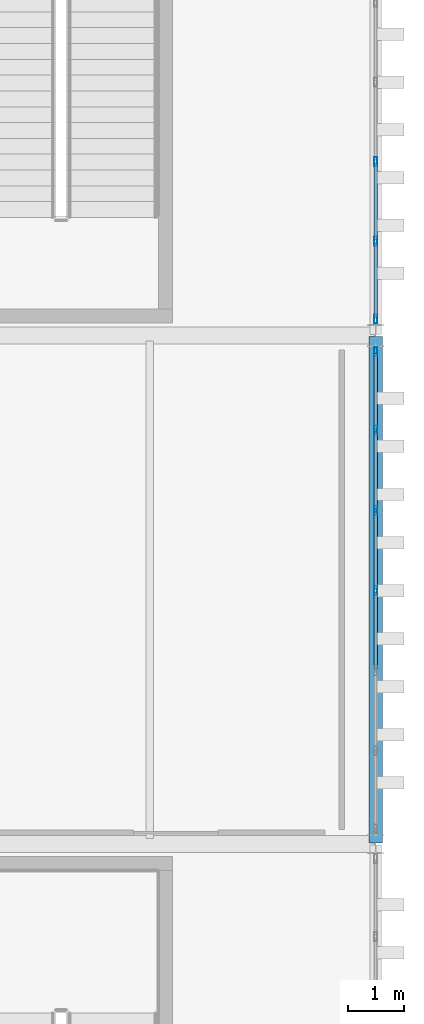
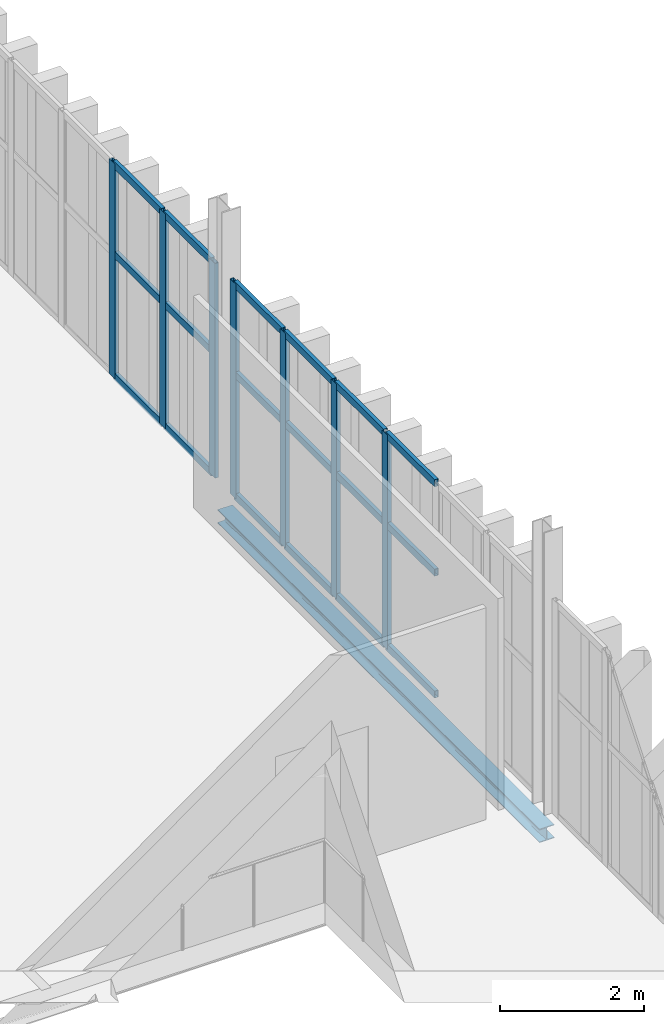
# One storey, part 154 of 196: 25 members, 1 beam, 2 elements without a shape of their own.
"""IFC4 building model written with IfcOpenShell, lengths in metres."""

from ifc_helpers import new_model, si_unit, direction, frame, origin, origin_2d, place, context, subcontext, project, spatial, hollow_rectangle, i_section, extrude, material, layer, layer_set, material_profile, profile_set, type_object, element, aggregate, save


model = new_model("IFC4")

# Units and contexts
model_context = context("Model", 3, precision=1e-05, world=origin(), true_north=direction((0.0, 1.0)))
body_context = subcontext(model_context, "Body", "Model", "MODEL_VIEW")
ifc_project = project(units=[si_unit("LENGTHUNIT", "METRE"), si_unit("AREAUNIT", "SQUARE_METRE"), si_unit("VOLUMEUNIT", "CUBIC_METRE"), si_unit("PLANEANGLEUNIT", "RADIAN"), si_unit("MASSUNIT", "GRAM", prefix="KILO")], contexts=[model_context])

# Site, building, storey
site_placement = place(None, origin())
site = spatial("IfcSite", under=ifc_project, at=site_placement, CompositionType="ELEMENT")
building_placement = place(site_placement, origin())
building = spatial("IfcBuilding", under=site, at=building_placement, Name="Barlavento Convention Centre", CompositionType="ELEMENT")
storey_placement = place(building_placement, frame((0.0, 0.0, 18.0)))
storey = spatial("IfcBuildingStorey", under=building, at=storey_placement, Name="L03", CompositionType="ELEMENT", Elevation=18.0)

# Curtain wall, members
ifc_material_1 = material(Name="Powder-coated aluminium and Low-E glass", Category="aluminium")
ifc_layer = layer(ifc_material_1, 0.179931640625)
ifc_layer_set = layer_set([ifc_layer], Name="ARC-CW-CONF-L03")
curtain_wall_type = type_object("IfcCurtainWallType", Name="ARC-CW-CONF-L03", PredefinedType="NOTDEFINED", material=ifc_layer_set)
curtain_wall_1_placement = place(storey_placement, origin())
curtain_wall_1 = element("IfcCurtainWall", 1, at=curtain_wall_1_placement, inside=storey, type_object=curtain_wall_type, Name="L03 unitised curtain wall CW08", PredefinedType="NOTDEFINED")
ifc_material_2 = material(Name="Powder-coated aluminium", Category="aluminium")
ifc_material_profile_1 = material_profile(ifc_material_2, hollow_rectangle(XDim=0.06005859375, YDim=0.159912109375, WallThickness=0.00390625, at=origin_2d()), Name="AL-MULL 60x160x4")
ifc_profile_set_1 = profile_set([ifc_material_profile_1], Name="Powder-coated aluminium")
member_type_1 = type_object("IfcMemberType", Name="ARC-CWM-60X160", PredefinedType="MULLION", material=ifc_profile_set_1)
member_1_placement = place(storey_placement, frame((192.0, 85.485107421875, 0.0), z_axis=(0.0, 0.0, 1.0), x_axis=(-1.0, 0.0, 0.0)))
member_1 = element("IfcMember", 2, at=member_1_placement, type_object=member_type_1, Name="CW08 mullion 4", PredefinedType="MULLION", context=body_context, shape_type="SweptSolid", body=[
    extrude(hollow_rectangle(XDim=0.06005859375, YDim=0.159912109375, WallThickness=0.00390625, at=origin_2d()), origin(), (0.0, 0.0, 1.0), 3.64990234375),
])
member_2_placement = place(storey_placement, frame((192.0, 86.9033203125, 0.0), z_axis=(0.0, 0.0, 1.0), x_axis=(-1.0, 0.0, 0.0)))
member_2 = element("IfcMember", 3, at=member_2_placement, type_object=member_type_1, Name="CW08 mullion 5", PredefinedType="MULLION", context=body_context, shape_type="SweptSolid", body=[
    extrude(hollow_rectangle(XDim=0.06005859375, YDim=0.159912109375, WallThickness=0.00390625, at=origin_2d()), origin(), (0.0, 0.0, 1.0), 3.64990234375),
])
member_3_placement = place(storey_placement, frame((192.0, 88.32177734375, 0.0), z_axis=(0.0, 0.0, 1.0), x_axis=(-1.0, 0.0, 0.0)))
member_3 = element("IfcMember", 4, at=member_3_placement, type_object=member_type_1, Name="CW08 mullion 6", PredefinedType="MULLION", context=body_context, shape_type="SweptSolid", body=[
    extrude(hollow_rectangle(XDim=0.06005859375, YDim=0.159912109375, WallThickness=0.00390625, at=origin_2d()), origin(), (0.0, 0.0, 1.0), 3.64990234375),
])
member_4_placement = place(storey_placement, frame((192.0, 89.7099609375, 0.0), z_axis=(0.0, 0.0, 1.0), x_axis=(-1.0, 0.0, 0.0)))
member_4 = element("IfcMember", 5, at=member_4_placement, type_object=member_type_1, Name="CW08 mullion 7", PredefinedType="MULLION", context=body_context, shape_type="SweptSolid", body=[
    extrude(hollow_rectangle(XDim=0.06005859375, YDim=0.159912109375, WallThickness=0.00390625, at=origin_2d()), origin(), (0.0, 0.0, 1.0), 3.64990234375),
])

curtain_wall_2_placement = place(storey_placement, origin())
curtain_wall_2 = element("IfcCurtainWall", 6, at=curtain_wall_2_placement, inside=storey, type_object=curtain_wall_type, Name="L03 unitised curtain wall CW08", PredefinedType="NOTDEFINED")
member_5_placement = place(storey_placement, frame((192.0, 90.2900390625, 0.0), z_axis=(0.0, 0.0, 1.0), x_axis=(-1.0, 0.0, 0.0)))
member_5 = element("IfcMember", 7, at=member_5_placement, type_object=member_type_1, Name="CW08 mullion 1", PredefinedType="MULLION", context=body_context, shape_type="SweptSolid", body=[
    extrude(hollow_rectangle(XDim=0.06005859375, YDim=0.159912109375, WallThickness=0.00390625, at=origin_2d()), origin(), (0.0, 0.0, 1.0), 3.64990234375),
])
member_6_placement = place(storey_placement, frame((192.0, 91.669189453125, 0.0), z_axis=(0.0, 0.0, 1.0), x_axis=(-1.0, 0.0, 0.0)))
member_6 = element("IfcMember", 8, at=member_6_placement, type_object=member_type_1, Name="CW08 mullion 2", PredefinedType="MULLION", context=body_context, shape_type="SweptSolid", body=[
    extrude(hollow_rectangle(XDim=0.06005859375, YDim=0.159912109375, WallThickness=0.00390625, at=origin_2d()), origin(), (0.0, 0.0, 1.0), 3.64990234375),
])
member_7_placement = place(storey_placement, frame((192.0, 93.078369140625, 0.0), z_axis=(0.0, 0.0, 1.0), x_axis=(-1.0, 0.0, 0.0)))
member_7 = element("IfcMember", 9, at=member_7_placement, type_object=member_type_1, Name="CW08 mullion 3", PredefinedType="MULLION", context=body_context, shape_type="SweptSolid", body=[
    extrude(hollow_rectangle(XDim=0.06005859375, YDim=0.159912109375, WallThickness=0.00390625, at=origin_2d()), origin(), (0.0, 0.0, 1.0), 3.64990234375),
])

# Member
ifc_material_profile_2 = material_profile(ifc_material_2, hollow_rectangle(XDim=0.06005859375, YDim=0.1201171875, WallThickness=0.00390625, at=origin_2d()), Name="AL-TRAN 60x120x4")
ifc_profile_set_2 = profile_set([ifc_material_profile_2], Name="Powder-coated aluminium")
member_type_2 = type_object("IfcMemberType", Name="ARC-CWT-60X120", PredefinedType="USERDEFINED", material=ifc_profile_set_2)
member_8_placement = place(storey_placement, frame((192.0, 84.0966796875, 0.030029296875), z_axis=(0.0, 1.0, 0.0), x_axis=(-1.0, 0.0, 0.0)))
member_8 = element("IfcMember", 10, at=member_8_placement, type_object=member_type_2, Name="CW08 transom 3.1", ObjectType="TRANSOM", PredefinedType="USERDEFINED", context=body_context, shape_type="SweptSolid", body=[
    extrude(hollow_rectangle(XDim=0.06005859375, YDim=0.1201171875, WallThickness=0.00390625, at=origin_2d()), origin(), (0.0, 0.0, 1.0), 1.3583984375),
])

member_9_placement = place(storey_placement, frame((192.0, 84.0966796875, 2.10009765625), z_axis=(0.0, 1.0, 0.0), x_axis=(-1.0, 0.0, 0.0)))
member_9 = element("IfcMember", 11, at=member_9_placement, type_object=member_type_2, Name="CW08 transom 3.2", ObjectType="TRANSOM", PredefinedType="USERDEFINED", context=body_context, shape_type="SweptSolid", body=[
    extrude(hollow_rectangle(XDim=0.06005859375, YDim=0.1201171875, WallThickness=0.00390625, at=origin_2d()), origin(), (0.0, 0.0, 1.0), 1.3583984375),
])

member_10_placement = place(storey_placement, frame((192.0, 84.0966796875, 3.6201171875), z_axis=(0.0, 1.0, 0.0), x_axis=(-1.0, 0.0, 0.0)))
member_10 = element("IfcMember", 12, at=member_10_placement, type_object=member_type_2, Name="CW08 transom 3.3", ObjectType="TRANSOM", PredefinedType="USERDEFINED", context=body_context, shape_type="SweptSolid", body=[
    extrude(hollow_rectangle(XDim=0.06005859375, YDim=0.1201171875, WallThickness=0.00390625, at=origin_2d()), origin(), (0.0, 0.0, 1.0), 1.3583984375),
])

member_11_placement = place(storey_placement, frame((192.0, 85.514892578125, 0.030029296875), z_axis=(0.0, 1.0, 0.0), x_axis=(-1.0, 0.0, 0.0)))
member_11 = element("IfcMember", 13, at=member_11_placement, type_object=member_type_2, Name="CW08 transom 4.1", ObjectType="TRANSOM", PredefinedType="USERDEFINED", context=body_context, shape_type="SweptSolid", body=[
    extrude(hollow_rectangle(XDim=0.06005859375, YDim=0.1201171875, WallThickness=0.00390625, at=origin_2d()), origin(), (0.0, 0.0, 1.0), 1.3583984375),
])

member_12_placement = place(storey_placement, frame((192.0, 85.514892578125, 2.10009765625), z_axis=(0.0, 1.0, 0.0), x_axis=(-1.0, 0.0, 0.0)))
member_12 = element("IfcMember", 14, at=member_12_placement, type_object=member_type_2, Name="CW08 transom 4.2", ObjectType="TRANSOM", PredefinedType="USERDEFINED", context=body_context, shape_type="SweptSolid", body=[
    extrude(hollow_rectangle(XDim=0.06005859375, YDim=0.1201171875, WallThickness=0.00390625, at=origin_2d()), origin(), (0.0, 0.0, 1.0), 1.3583984375),
])

member_13_placement = place(storey_placement, frame((192.0, 85.514892578125, 3.6201171875), z_axis=(0.0, 1.0, 0.0), x_axis=(-1.0, 0.0, 0.0)))
member_13 = element("IfcMember", 15, at=member_13_placement, type_object=member_type_2, Name="CW08 transom 4.3", ObjectType="TRANSOM", PredefinedType="USERDEFINED", context=body_context, shape_type="SweptSolid", body=[
    extrude(hollow_rectangle(XDim=0.06005859375, YDim=0.1201171875, WallThickness=0.00390625, at=origin_2d()), origin(), (0.0, 0.0, 1.0), 1.3583984375),
])

member_14_placement = place(storey_placement, frame((192.0, 86.933349609375, 0.030029296875), z_axis=(0.0, 1.0, 0.0), x_axis=(-1.0, 0.0, 0.0)))
member_14 = element("IfcMember", 16, at=member_14_placement, type_object=member_type_2, Name="CW08 transom 5.1", ObjectType="TRANSOM", PredefinedType="USERDEFINED", context=body_context, shape_type="SweptSolid", body=[
    extrude(hollow_rectangle(XDim=0.06005859375, YDim=0.1201171875, WallThickness=0.00390625, at=origin_2d()), origin(), (0.0, 0.0, 1.0), 1.3583984375),
])

member_15_placement = place(storey_placement, frame((192.0, 86.933349609375, 2.10009765625), z_axis=(0.0, 1.0, 0.0), x_axis=(-1.0, 0.0, 0.0)))
member_15 = element("IfcMember", 17, at=member_15_placement, type_object=member_type_2, Name="CW08 transom 5.2", ObjectType="TRANSOM", PredefinedType="USERDEFINED", context=body_context, shape_type="SweptSolid", body=[
    extrude(hollow_rectangle(XDim=0.06005859375, YDim=0.1201171875, WallThickness=0.00390625, at=origin_2d()), origin(), (0.0, 0.0, 1.0), 1.3583984375),
])

member_16_placement = place(storey_placement, frame((192.0, 86.933349609375, 3.6201171875), z_axis=(0.0, 1.0, 0.0), x_axis=(-1.0, 0.0, 0.0)))
member_16 = element("IfcMember", 18, at=member_16_placement, type_object=member_type_2, Name="CW08 transom 5.3", ObjectType="TRANSOM", PredefinedType="USERDEFINED", context=body_context, shape_type="SweptSolid", body=[
    extrude(hollow_rectangle(XDim=0.06005859375, YDim=0.1201171875, WallThickness=0.00390625, at=origin_2d()), origin(), (0.0, 0.0, 1.0), 1.3583984375),
])

member_17_placement = place(storey_placement, frame((192.0, 88.3515625, 0.030029296875), z_axis=(0.0, 1.0, 0.0), x_axis=(-1.0, 0.0, 0.0)))
member_17 = element("IfcMember", 19, at=member_17_placement, type_object=member_type_2, Name="CW08 transom 6.1", ObjectType="TRANSOM", PredefinedType="USERDEFINED", context=body_context, shape_type="SweptSolid", body=[
    extrude(hollow_rectangle(XDim=0.06005859375, YDim=0.1201171875, WallThickness=0.00390625, at=origin_2d()), origin(), (0.0, 0.0, 1.0), 1.328369140625),
])

member_18_placement = place(storey_placement, frame((192.0, 88.3515625, 2.10009765625), z_axis=(0.0, 1.0, 0.0), x_axis=(-1.0, 0.0, 0.0)))
member_18 = element("IfcMember", 20, at=member_18_placement, type_object=member_type_2, Name="CW08 transom 6.2", ObjectType="TRANSOM", PredefinedType="USERDEFINED", context=body_context, shape_type="SweptSolid", body=[
    extrude(hollow_rectangle(XDim=0.06005859375, YDim=0.1201171875, WallThickness=0.00390625, at=origin_2d()), origin(), (0.0, 0.0, 1.0), 1.328369140625),
])

member_19_placement = place(storey_placement, frame((192.0, 88.3515625, 3.6201171875), z_axis=(0.0, 1.0, 0.0), x_axis=(-1.0, 0.0, 0.0)))
member_19 = element("IfcMember", 21, at=member_19_placement, type_object=member_type_2, Name="CW08 transom 6.3", ObjectType="TRANSOM", PredefinedType="USERDEFINED", context=body_context, shape_type="SweptSolid", body=[
    extrude(hollow_rectangle(XDim=0.06005859375, YDim=0.1201171875, WallThickness=0.00390625, at=origin_2d()), origin(), (0.0, 0.0, 1.0), 1.328369140625),
])

aggregate(curtain_wall_1, [member_1, member_2, member_3, member_4, member_8, member_9, member_10, member_11, member_12, member_13, member_14, member_15, member_16, member_17, member_18, member_19])

member_20_placement = place(storey_placement, frame((192.0, 90.320068359375, 0.030029296875), z_axis=(0.0, 1.0, 0.0), x_axis=(-1.0, 0.0, 0.0)))
member_20 = element("IfcMember", 22, at=member_20_placement, type_object=member_type_2, Name="CW08 transom 1.1", ObjectType="TRANSOM", PredefinedType="USERDEFINED", context=body_context, shape_type="SweptSolid", body=[
    extrude(hollow_rectangle(XDim=0.06005859375, YDim=0.1201171875, WallThickness=0.00390625, at=origin_2d()), origin(), (0.0, 0.0, 1.0), 1.319091796875),
])

member_21_placement = place(storey_placement, frame((192.0, 90.320068359375, 2.10009765625), z_axis=(0.0, 1.0, 0.0), x_axis=(-1.0, 0.0, 0.0)))
member_21 = element("IfcMember", 23, at=member_21_placement, type_object=member_type_2, Name="CW08 transom 1.2", ObjectType="TRANSOM", PredefinedType="USERDEFINED", context=body_context, shape_type="SweptSolid", body=[
    extrude(hollow_rectangle(XDim=0.06005859375, YDim=0.1201171875, WallThickness=0.00390625, at=origin_2d()), origin(), (0.0, 0.0, 1.0), 1.319091796875),
])

member_22_placement = place(storey_placement, frame((192.0, 90.320068359375, 3.6201171875), z_axis=(0.0, 1.0, 0.0), x_axis=(-1.0, 0.0, 0.0)))
member_22 = element("IfcMember", 24, at=member_22_placement, type_object=member_type_2, Name="CW08 transom 1.3", ObjectType="TRANSOM", PredefinedType="USERDEFINED", context=body_context, shape_type="SweptSolid", body=[
    extrude(hollow_rectangle(XDim=0.06005859375, YDim=0.1201171875, WallThickness=0.00390625, at=origin_2d()), origin(), (0.0, 0.0, 1.0), 1.319091796875),
])

member_23_placement = place(storey_placement, frame((192.0, 91.69921875, 0.030029296875), z_axis=(0.0, 1.0, 0.0), x_axis=(-1.0, 0.0, 0.0)))
member_23 = element("IfcMember", 25, at=member_23_placement, type_object=member_type_2, Name="CW08 transom 2.1", ObjectType="TRANSOM", PredefinedType="USERDEFINED", context=body_context, shape_type="SweptSolid", body=[
    extrude(hollow_rectangle(XDim=0.06005859375, YDim=0.1201171875, WallThickness=0.00390625, at=origin_2d()), origin(), (0.0, 0.0, 1.0), 1.34912109375),
])

member_24_placement = place(storey_placement, frame((192.0, 91.69921875, 2.10009765625), z_axis=(0.0, 1.0, 0.0), x_axis=(-1.0, 0.0, 0.0)))
member_24 = element("IfcMember", 26, at=member_24_placement, type_object=member_type_2, Name="CW08 transom 2.2", ObjectType="TRANSOM", PredefinedType="USERDEFINED", context=body_context, shape_type="SweptSolid", body=[
    extrude(hollow_rectangle(XDim=0.06005859375, YDim=0.1201171875, WallThickness=0.00390625, at=origin_2d()), origin(), (0.0, 0.0, 1.0), 1.34912109375),
])

member_25_placement = place(storey_placement, frame((192.0, 91.69921875, 3.6201171875), z_axis=(0.0, 1.0, 0.0), x_axis=(-1.0, 0.0, 0.0)))
member_25 = element("IfcMember", 27, at=member_25_placement, type_object=member_type_2, Name="CW08 transom 2.3", ObjectType="TRANSOM", PredefinedType="USERDEFINED", context=body_context, shape_type="SweptSolid", body=[
    extrude(hollow_rectangle(XDim=0.06005859375, YDim=0.1201171875, WallThickness=0.00390625, at=origin_2d()), origin(), (0.0, 0.0, 1.0), 1.34912109375),
])

aggregate(curtain_wall_2, [member_5, member_6, member_7, member_20, member_21, member_22, member_23, member_24, member_25])

# Beam
ifc_material_3 = material(Name="Steel S355", Category="steel")
ifc_material_profile_3 = material_profile(ifc_material_3, i_section(OverallWidth=0.239990234375, OverallDepth=0.22998046875, WebThickness=0.007568359375, FlangeThickness=0.011962890625, FilletRadius=0.02099609375, at=origin_2d()), Name="HEA 240")
ifc_profile_set_3 = profile_set([ifc_material_profile_3], Name="Steel S355")
beam_type = type_object("IfcBeamType", Name="STR-BM-SPN-HEA240", PredefinedType="SPANDREL", material=ifc_profile_set_3)
beam_placement = place(storey_placement, frame((192.0, 81.02001953125, -0.47509765625), z_axis=(0.0, 1.0, 0.0), x_axis=(-1.0, 0.0, 0.0)))
element("IfcBeam", 28, at=beam_placement, inside=storey, type_object=beam_type, Name="L03 grid girder SP05", PredefinedType="SPANDREL", context=body_context, shape_type="SweptSolid", body=[
    extrude(i_section(OverallWidth=0.239990234375, OverallDepth=0.22998046875, WebThickness=0.007568359375, FlangeThickness=0.011962890625, FilletRadius=0.02099609375, at=origin_2d()), origin(), (0.0, 0.0, 1.0), 8.9599609375),
])

save(model, "model.ifc")
